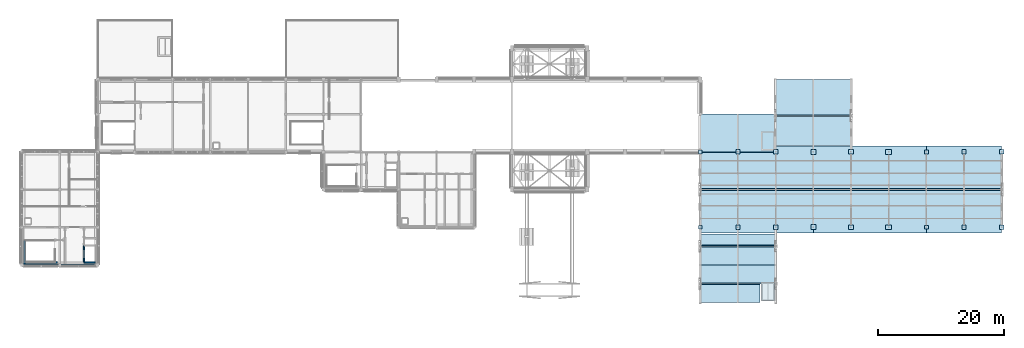
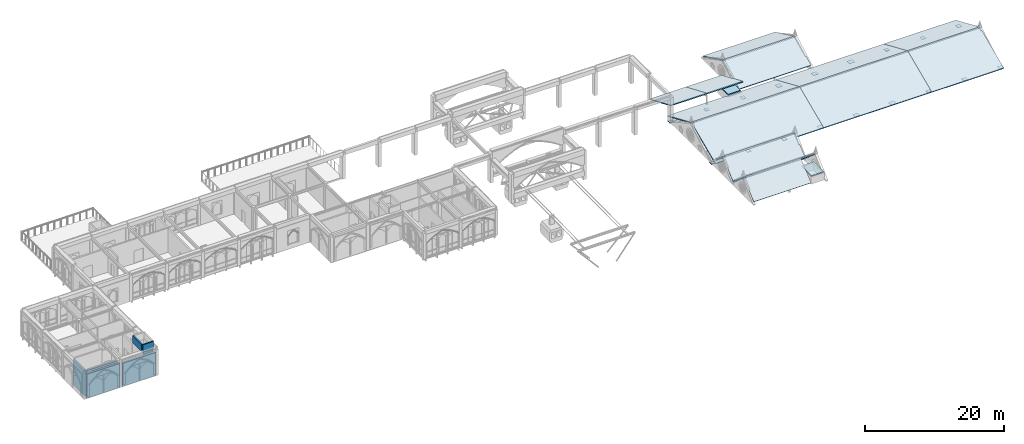
# One storey, part 39 of 59: 18 plates, 16 slabs, 7 walls.
"""IFC4 building model written with IfcOpenShell, lengths in metres."""

from ifc_helpers import new_model, si_unit, direction, frame, frame_2d, origin, origin_2d, place, context, subcontext, project, spatial, polyline, rectangle, outline, extrude, material, layer, layer_set, type_object, element, save


model = new_model("IFC4")

# Units and contexts
model_context = context("Model", 3, precision=1e-05, world=origin(), true_north=direction((0.0, 1.0)))
body_context = subcontext(model_context, "Body", "Model", "MODEL_VIEW")
ifc_project = project(units=[si_unit("LENGTHUNIT", "METRE"), si_unit("AREAUNIT", "SQUARE_METRE"), si_unit("VOLUMEUNIT", "CUBIC_METRE"), si_unit("PLANEANGLEUNIT", "RADIAN"), si_unit("MASSUNIT", "GRAM", prefix="KILO")], contexts=[model_context])

# Site, building, storey
site_placement = place(None, origin())
site = spatial("IfcSite", under=ifc_project, at=site_placement, CompositionType="ELEMENT")
building_placement = place(site_placement, origin())
building = spatial("IfcBuilding", under=site, at=building_placement, Name="Cumevento Cable Car Station", CompositionType="ELEMENT")
storey_placement = place(building_placement, frame((0.0, 0.0, 18.0)))
storey = spatial("IfcBuildingStorey", under=building, at=storey_placement, Name="L05", CompositionType="ELEMENT", Elevation=18.0)

# Slabs
ifc_material_1 = material(Name="Concrete C40/50", Category="concrete")
ifc_layer_1 = layer(ifc_material_1, 0.159912109375)
ifc_layer_set_1 = layer_set([ifc_layer_1], Name="Concrete C40/50")
slab_type_1 = type_object("IfcSlabType", Name="Concrete Deck RS-160 160", PredefinedType="ROOF", material=ifc_layer_set_1)
slab_1_placement = place(storey_placement, frame((118.0, 21.0, 0.414794921875), z_axis=(0.0, -0.647646522102, 0.76194093105), x_axis=(1.0, 0.0, 0.0)))
element("IfcSlab", 1, at=slab_1_placement, inside=storey, type_object=slab_type_1, Name="Wing B_V4b_core Gable Roof South", PredefinedType="ROOF", context=body_context, shape_type="SweptSolid", body=[
    extrude(outline(polyline([(0.0, 0.0), (9.5400390625, 0.0), (9.5400390625, 3.733846794664247), (0.0, 3.733846794664247), (0.0, 0.0)])), origin(), (0.0, 0.0, -1.0), 0.159912109375),
])
slab_2_placement = place(storey_placement, frame((118.0, 24.155029296875, 2.8330078125), z_axis=(0.0, 0.647646522102, 0.76194093105), x_axis=(1.0, 0.0, 0.0)))
element("IfcSlab", 2, at=slab_2_placement, inside=storey, type_object=slab_type_1, Name="Wing B_V4b_core Gable Roof North", PredefinedType="ROOF", context=body_context, shape_type="SweptSolid", body=[
    extrude(outline(polyline([(0.0, 0.0), (12.0, 0.0), (12.0, 3.733846794664247), (0.0, 3.733846794664247), (0.0, 0.0)])), origin(), (0.0, 0.0, -1.0), 0.159912109375),
])
for number, where, z_axis, x_axis, name in (
    (3, (118.0, 45.0, 2.893310546875), (0.0, 0.39111526462, 0.920341702729), (1.0, 0.0, 0.0), "Wing B_V5c_core Monopitch Veranda Roof #50"),
    (4, (124.0, 45.0, 2.893310546875), (0.0, 0.39111526462, 0.920341702729), (1.0, 0.0, 0.0), "Wing B_V5c_core Monopitch Veranda Roof #51"),
):
    element("IfcSlab", number, at=place(storey_placement, frame(where, z_axis=z_axis, x_axis=x_axis)), inside=storey, type_object=slab_type_1, Name=name, PredefinedType="ROOF", context=body_context, shape_type="SweptSolid", body=[
        extrude(outline(polyline([(0.0, 0.0), (6.0, 0.0), (6.0, 6.519317751451984), (0.0, 6.519317751451984), (0.0, 0.0)])), origin(), (0.0, 0.0, -1.0), 0.159912109375),
    ])
ifc_material_2 = material(Name="Concrete C40/50", Category="concrete")
ifc_layer_2 = layer(ifc_material_2, 0.172119140625)
ifc_layer_set_2 = layer_set([ifc_layer_2], Name="Concrete C40/50")
slab_type_2 = type_object("IfcSlabType", Name="Concrete Deck RS-172 172", PredefinedType="ROOF", material=ifc_layer_set_2)
slab_3_placement = place(storey_placement, frame((118.0, 27.0, 0.430419921875), z_axis=(0.0, -0.647646522102, 0.76194093105), x_axis=(1.0, 0.0, 0.0)))
element("IfcSlab", 5, at=slab_3_placement, inside=storey, type_object=slab_type_2, Name="Wing B_V4b Gable Roof South", PredefinedType="ROOF", context=body_context, shape_type="SweptSolid", body=[
    extrude(outline(polyline([(0.0, 0.0), (12.0, 0.0), (12.0, 3.733846794664247), (0.0, 3.733846794664247), (0.0, 0.0)])), origin(), (0.0, 0.0, -1.0), 0.172119140625),
])
slab_4_placement = place(storey_placement, frame((118.0, 30.155029296875, 2.8486328125), z_axis=(0.0, 0.647636386528, 0.761949546128), x_axis=(1.0, 0.0, 0.0)))
element("IfcSlab", 6, at=slab_4_placement, inside=storey, type_object=slab_type_2, Name="Wing B_V4b Gable Roof North", PredefinedType="ROOF", context=body_context, shape_type="SweptSolid", body=[
    extrude(outline(polyline([(0.0, 0.0), (12.0, 0.0), (12.0, 2.355696494762677), (0.0, 2.355696494762677), (0.0, 0.0)])), origin(), (0.0, 0.0, -1.0), 0.172119140625),
])
slab_5_placement = place(storey_placement, frame((130.0, 46.050048828125, 0.876220703125), z_axis=(0.0, -0.437800278024, 0.899072253249), x_axis=(1.0, 0.0, 0.0)))
element("IfcSlab", 7, at=slab_5_placement, inside=storey, type_object=slab_type_2, Name="Wing B_V5c Gable Roof South", PredefinedType="ROOF", context=body_context, shape_type="SweptSolid", body=[
    extrude(outline(polyline([(0.0, 0.0), (12.0, 0.0), (12.0, 5.055124166691807), (0.0, 5.055124166691807), (0.0, 0.0)])), origin(), (0.0, 0.0, -1.0), 0.172119140625),
])
slab_6_placement = place(storey_placement, frame((130.0, 50.905029296875, 3.08935546875), z_axis=(0.0, 0.437820642913, 0.899062336348), x_axis=(1.0, 0.0, 0.0)))
element("IfcSlab", 8, at=slab_6_placement, inside=storey, type_object=slab_type_2, Name="Wing B_V5c Gable Roof North", PredefinedType="ROOF", context=body_context, shape_type="SweptSolid", body=[
    extrude(outline(polyline([(0.0, 0.0), (12.0, 0.0), (12.0, 6.2231176603986), (0.0, 6.2231176603986), (0.0, 0.0)])), origin(), (0.0, 0.0, -1.0), 0.172119140625),
])
ifc_material_3 = material(Name="Concrete C40/50", Category="concrete")
ifc_layer_3 = layer(ifc_material_3, 0.18505859375)
ifc_layer_set_3 = layer_set([ifc_layer_3], Name="Concrete C40/50")
slab_type_3 = type_object("IfcSlabType", Name="Concrete Deck RS-185 185", PredefinedType="ROOF", material=ifc_layer_set_3)
for number, where, z_axis, x_axis, name in (
    (9, (118.0, 32.050048828125, 0.465576171875), (0.0, -0.398758569481, 0.917055943367), (1.0, 0.0, 0.0), "Cabin Garage Depot Roof South 13"),
    (10, (118.0, 39.139892578125, 3.4267578125), (0.0, 0.398758569481, 0.917055943367), (1.0, 0.0, 0.0), "Cabin Garage Depot Roof North 14"),
    (11, (136.0, 32.050048828125, 0.465576171875), (0.0, -0.398758569481, 0.917055943367), (1.0, 0.0, 0.0), "Cabin Garage Depot Roof South 15"),
    (12, (136.0, 39.139892578125, 3.4267578125), (0.0, 0.398758569481, 0.917055943367), (1.0, 0.0, 0.0), "Cabin Garage Depot Roof North 16"),
):
    element("IfcSlab", number, at=place(storey_placement, frame(where, z_axis=z_axis, x_axis=x_axis)), inside=storey, type_object=slab_type_3, Name=name, PredefinedType="ROOF", context=body_context, shape_type="SweptSolid", body=[
        extrude(outline(polyline([(0.0, 0.0), (18.0, 0.0), (18.0, 7.426001263067681), (0.0, 7.426001263067681), (0.0, 0.0)])), origin(), (0.0, 0.0, -1.0), 0.18505859375),
    ])
for number, where, z_axis, x_axis, name in (
    (13, (154.0, 32.050048828125, 0.465576171875), (0.0, -0.398758569481, 0.917055943367), (1.0, 0.0, 0.0), "Cabin Garage Depot Roof South 17"),
    (14, (154.0, 39.139892578125, 3.4267578125), (0.0, 0.398758569481, 0.917055943367), (1.0, 0.0, 0.0), "Cabin Garage Depot Roof North 18"),
):
    element("IfcSlab", number, at=place(storey_placement, frame(where, z_axis=z_axis, x_axis=x_axis)), inside=storey, type_object=slab_type_3, Name=name, PredefinedType="ROOF", context=body_context, shape_type="SweptSolid", body=[
        extrude(outline(polyline([(0.0, 0.0), (12.0, 0.0), (12.0, 7.426001263067681), (0.0, 7.426001263067681), (0.0, 0.0)])), origin(), (0.0, 0.0, -1.0), 0.18505859375),
    ])
ifc_material_4 = material(Name="Concrete C40/50", Category="concrete")
ifc_layer_4 = layer(ifc_material_4, 0.199951171875)
ifc_layer_set_4 = layer_set([ifc_layer_4], Name="Concrete C40/50")
slab_type_4 = type_object("IfcSlabType", Name="Concrete Deck RS-200 200", PredefinedType="ROOF", material=ifc_layer_set_4)
slab_7_placement = place(storey_placement, frame((0.0, 0.0, 1.25)))
element("IfcSlab", 15, at=slab_7_placement, inside=storey, type_object=slab_type_4, Name="Lift Overrun Roof Slab LF-05", PredefinedType="ROOF", context=body_context, shape_type="SweptSolid", body=[
    extrude(outline(polyline([(127.760009765625, 21.300048828125), (129.820068359375, 21.300048828125), (129.820068359375, 24.199951171875), (127.760009765625, 24.199951171875), (127.760009765625, 21.300048828125)])), origin(), (0.0, 0.0, 1.0), 0.199951171875),
])
slab_8_placement = place(storey_placement, frame((0.0, 0.0, 1.0)))
element("IfcSlab", 16, at=slab_8_placement, inside=storey, type_object=slab_type_4, Name="Lift Overrun Roof Slab LF-06", PredefinedType="ROOF", context=body_context, shape_type="SweptSolid", body=[
    extrude(outline(polyline([(127.760009765625, 45.300048828125), (129.820068359375, 45.300048828125), (129.820068359375, 48.199951171875), (127.760009765625, 48.199951171875), (127.760009765625, 45.300048828125)])), origin(), (0.0, 0.0, 1.0), 0.199951171875),
])

# Plates
ifc_material_5 = material(Name="Steel ASTM A572 Grade 50", Category="steel")
ifc_layer_5 = layer(ifc_material_5, 0.031982421875)
ifc_layer_set_5 = layer_set([ifc_layer_5], Name="Steel ASTM A572 Grade 50")
plate_type_1 = type_object("IfcPlateType", Name="Steel Plate BP-01 620x620x32", PredefinedType="SHEET", material=ifc_layer_set_5)
for number, where, z_axis, x_axis, name in (
    (17, (118.0, 33.0, 0.0), (0.0, 0.0, 1.0), (1.0, 0.0, 0.0), "Cabin Garage Truss Shoe Plate #69"),
    (18, (118.0, 45.0, 0.0), (0.0, 0.0, 1.0), (1.0, 0.0, 0.0), "Cabin Garage Truss Shoe Plate #70"),
    (19, (154.0, 33.0, 0.0), (0.0, 0.0, 1.0), (1.0, 0.0, 0.0), "Cabin Garage Truss Shoe Plate #81"),
    (20, (154.0, 45.0, 0.0), (0.0, 0.0, 1.0), (1.0, 0.0, 0.0), "Cabin Garage Truss Shoe Plate #82"),
):
    element("IfcPlate", number, at=place(storey_placement, frame(where, z_axis=z_axis, x_axis=x_axis)), inside=storey, type_object=plate_type_1, Name=name, PredefinedType="SHEET", context=body_context, shape_type="SweptSolid", body=[
        extrude(rectangle(XDim=0.6201171875, YDim=0.6201171875, at=origin_2d()), origin(), (0.0, 0.0, 1.0), 0.031982421875),
    ])
ifc_material_6 = material(Name="Steel ASTM A572 Grade 50", Category="steel")
ifc_layer_6 = layer(ifc_material_6, 0.035888671875)
ifc_layer_set_6 = layer_set([ifc_layer_6], Name="Steel ASTM A572 Grade 50")
plate_type_2 = type_object("IfcPlateType", Name="Steel Plate BP-02 680x680x36", PredefinedType="SHEET", material=ifc_layer_set_6)
for number, where, z_axis, x_axis, name in (
    (21, (124.0, 33.0, 0.0), (0.0, 0.0, 1.0), (1.0, 0.0, 0.0), "Cabin Garage Truss Shoe Plate #71"),
    (22, (124.0, 45.0, 0.0), (0.0, 0.0, 1.0), (1.0, 0.0, 0.0), "Cabin Garage Truss Shoe Plate #72"),
    (23, (160.0, 33.0, 0.0), (0.0, 0.0, 1.0), (1.0, 0.0, 0.0), "Cabin Garage Truss Shoe Plate #83"),
    (24, (160.0, 45.0, 0.0), (0.0, 0.0, 1.0), (1.0, 0.0, 0.0), "Cabin Garage Truss Shoe Plate #84"),
):
    element("IfcPlate", number, at=place(storey_placement, frame(where, z_axis=z_axis, x_axis=x_axis)), inside=storey, type_object=plate_type_2, Name=name, PredefinedType="SHEET", context=body_context, shape_type="SweptSolid", body=[
        extrude(rectangle(XDim=0.679931640625, YDim=0.679931640625, at=origin_2d()), origin(), (0.0, 0.0, 1.0), 0.035888671875),
    ])
ifc_material_7 = material(Name="Steel ASTM A572 Grade 50", Category="steel")
ifc_layer_7 = layer(ifc_material_7, 0.0400390625)
ifc_layer_set_7 = layer_set([ifc_layer_7], Name="Steel ASTM A572 Grade 50")
plate_type_3 = type_object("IfcPlateType", Name="Steel Plate BP-03 740x740x40", PredefinedType="SHEET", material=ifc_layer_set_7)
for number, where, z_axis, x_axis, name in (
    (25, (130.0, 33.0, 0.0), (0.0, 0.0, 1.0), (1.0, 0.0, 0.0), "Cabin Garage Truss Shoe Plate #73"),
    (26, (130.0, 45.0, 0.0), (0.0, 0.0, 1.0), (1.0, 0.0, 0.0), "Cabin Garage Truss Shoe Plate #74"),
    (27, (166.0, 33.0, 0.0), (0.0, 0.0, 1.0), (1.0, 0.0, 0.0), "Cabin Garage Truss Shoe Plate #85"),
    (28, (166.0, 45.0, 0.0), (0.0, 0.0, 1.0), (1.0, 0.0, 0.0), "Cabin Garage Truss Shoe Plate #86"),
):
    element("IfcPlate", number, at=place(storey_placement, frame(where, z_axis=z_axis, x_axis=x_axis)), inside=storey, type_object=plate_type_3, Name=name, PredefinedType="SHEET", context=body_context, shape_type="SweptSolid", body=[
        extrude(rectangle(XDim=0.739990234375, YDim=0.739990234375, at=origin_2d()), origin(), (0.0, 0.0, 1.0), 0.0400390625),
    ])
ifc_material_8 = material(Name="Steel ASTM A572 Grade 50", Category="steel")
ifc_layer_8 = layer(ifc_material_8, 0.0439453125)
ifc_layer_set_8 = layer_set([ifc_layer_8], Name="Steel ASTM A572 Grade 50")
plate_type_4 = type_object("IfcPlateType", Name="Steel Plate BP-04 800x800x44", PredefinedType="SHEET", material=ifc_layer_set_8)
for number, where, z_axis, x_axis, name in (
    (29, (136.0, 33.0, 0.0), (0.0, 0.0, 1.0), (1.0, 0.0, 0.0), "Cabin Garage Truss Shoe Plate #75"),
    (30, (136.0, 45.0, 0.0), (0.0, 0.0, 1.0), (1.0, 0.0, 0.0), "Cabin Garage Truss Shoe Plate #76"),
):
    element("IfcPlate", number, at=place(storey_placement, frame(where, z_axis=z_axis, x_axis=x_axis)), inside=storey, type_object=plate_type_4, Name=name, PredefinedType="SHEET", context=body_context, shape_type="SweptSolid", body=[
        extrude(rectangle(XDim=0.800048828125, YDim=0.800048828125, at=origin_2d()), origin(), (0.0, 0.0, 1.0), 0.0439453125),
    ])
ifc_material_9 = material(Name="Steel ASTM A572 Grade 50", Category="steel")
ifc_layer_9 = layer(ifc_material_9, 0.048095703125)
ifc_layer_set_9 = layer_set([ifc_layer_9], Name="Steel ASTM A572 Grade 50")
plate_type_5 = type_object("IfcPlateType", Name="Steel Plate BP-05 860x720x48", PredefinedType="SHEET", material=ifc_layer_set_9)
for number, where, z_axis, x_axis, name in (
    (31, (142.0, 33.0, 0.0), (0.0, 0.0, 1.0), (1.0, 0.0, 0.0), "Cabin Garage Truss Shoe Plate #77"),
    (32, (142.0, 45.0, 0.0), (0.0, 0.0, 1.0), (1.0, 0.0, 0.0), "Cabin Garage Truss Shoe Plate #78"),
):
    element("IfcPlate", number, at=place(storey_placement, frame(where, z_axis=z_axis, x_axis=x_axis)), inside=storey, type_object=plate_type_5, Name=name, PredefinedType="SHEET", context=body_context, shape_type="SweptSolid", body=[
        extrude(rectangle(XDim=0.860107421875, YDim=0.719970703125, at=origin_2d()), origin(), (0.0, 0.0, 1.0), 0.048095703125),
    ])
ifc_material_10 = material(Name="Steel ASTM A572 Grade 50", Category="steel")
ifc_layer_10 = layer(ifc_material_10, 0.052001953125)
ifc_layer_set_10 = layer_set([ifc_layer_10], Name="Steel ASTM A572 Grade 50")
plate_type_6 = type_object("IfcPlateType", Name="Steel Plate BP-06 920x780x52", PredefinedType="SHEET", material=ifc_layer_set_10)
for number, where, z_axis, x_axis, name in (
    (33, (148.0, 33.0, 0.0), (0.0, 0.0, 1.0), (1.0, 0.0, 0.0), "Cabin Garage Truss Shoe Plate #79"),
    (34, (148.0, 45.0, 0.0), (0.0, 0.0, 1.0), (1.0, 0.0, 0.0), "Cabin Garage Truss Shoe Plate #80"),
):
    element("IfcPlate", number, at=place(storey_placement, frame(where, z_axis=z_axis, x_axis=x_axis)), inside=storey, type_object=plate_type_6, Name=name, PredefinedType="SHEET", context=body_context, shape_type="SweptSolid", body=[
        extrude(rectangle(XDim=0.919921875, YDim=0.780029296875, at=origin_2d()), origin(), (0.0, 0.0, 1.0), 0.052001953125),
    ])

# Walls
ifc_material_11 = material(Name="Concrete C40/50", Category="concrete")
ifc_layer_11 = layer(ifc_material_11, 0.35498046875)
ifc_layer_set_11 = layer_set([ifc_layer_11], Name="Concrete C40/50")
wall_type_1 = type_object("IfcWallType", Name="Exterior Envelope Wall EW-355 355", PredefinedType="SOLIDWALL", material=ifc_layer_set_11)
wall_1_placement = place(storey_placement, frame((15.77490234375, 27.0, 0.0), z_axis=(0.0, 0.0, 1.0), x_axis=(-1.0, 0.0, 0.0)))
element("IfcWall", 35, at=wall_1_placement, inside=storey, type_object=wall_type_1, Name="Exterior Wall EW-355 L05 #385", PredefinedType="SOLIDWALL", context=body_context, shape_type="SweptSolid", body=[
    extrude(rectangle(XDim=5.5498046875, YDim=0.35498046875, at=frame_2d((2.77490234375, 0.0))), origin(), (0.0, 0.0, 1.0), 4.248046875),
])
wall_2_placement = place(storey_placement, frame((21.77490234375, 27.0, 0.0), z_axis=(0.0, 0.0, 1.0), x_axis=(-1.0, 0.0, 0.0)))
element("IfcWall", 36, at=wall_2_placement, inside=storey, type_object=wall_type_1, Name="Exterior Wall EW-355 L05 #386", PredefinedType="SOLIDWALL", context=body_context, shape_type="SweptSolid", body=[
    extrude(rectangle(XDim=5.5498046875, YDim=0.35498046875, at=frame_2d((2.77490234375, 0.0))), origin(), (0.0, 0.0, 1.0), 4.0869140625),
])
ifc_material_12 = material(Name="Concrete C40/50", Category="concrete")
ifc_layer_12 = layer(ifc_material_12, 0.22998046875)
ifc_layer_set_12 = layer_set([ifc_layer_12], Name="Concrete C40/50")
wall_type_2 = type_object("IfcWallType", Name="Interior Shear Wall CW-230 230", PredefinedType="SHEAR", material=ifc_layer_set_12)
wall_3_placement = place(storey_placement, frame((19.8798828125, 27.419921875, 4.5), z_axis=(0.0, 0.0, 1.0), x_axis=(1.0, 0.0, 0.0)))
element("IfcWall", 37, at=wall_3_placement, inside=storey, type_object=wall_type_2, Name="Interior Wall CW-230 L05 #267", PredefinedType="SHEAR", context=body_context, shape_type="SweptSolid", body=[
    extrude(rectangle(XDim=1.820068359375, YDim=0.22998046875, at=frame_2d((0.91015625, 0.0))), origin(), (0.0, 0.0, 1.0), 1.25),
])
wall_4_placement = place(storey_placement, frame((19.8798828125, 30.080078125, 4.5), z_axis=(0.0, 0.0, 1.0), x_axis=(0.0, -1.0, 0.0)))
element("IfcWall", 38, at=wall_4_placement, inside=storey, type_object=wall_type_2, Name="Interior Wall CW-230 L05 #270", PredefinedType="SHEAR", context=body_context, shape_type="SweptSolid", body=[
    extrude(rectangle(XDim=2.66015625, YDim=0.22998046875, at=frame_2d((1.330078125, 0.0))), origin(), (0.0, 0.0, 1.0), 1.25),
])
wall_5_placement = place(storey_placement, frame((10.405029296875, 27.114990234375, 0.0), z_axis=(0.0, 0.0, 1.0), x_axis=(0.0, 1.0, 0.0)))
element("IfcWall", 39, at=wall_5_placement, inside=storey, type_object=wall_type_2, Name="Interior Wall CW-230 L05 #327", PredefinedType="SHEAR", context=body_context, shape_type="SweptSolid", body=[
    extrude(rectangle(XDim=3.735107421875, YDim=0.22998046875, at=frame_2d((1.86767578125, 0.0))), origin(), (0.0, 0.0, 1.0), 4.5),
])
wall_6_placement = place(storey_placement, frame((10.52001953125, 27.405029296875, 0.0), z_axis=(0.0, 0.0, 1.0), x_axis=(1.0, 0.0, 0.0)))
element("IfcWall", 40, at=wall_6_placement, inside=storey, type_object=wall_type_2, Name="Interior Wall CW-230 L05 #328", PredefinedType="SHEAR", context=body_context, shape_type="SweptSolid", body=[
    extrude(rectangle(XDim=5.1298828125, YDim=0.22998046875, at=frame_2d((2.56494140625, 0.0))), origin(), (0.0, 0.0, 1.0), 4.5),
])
wall_7_placement = place(storey_placement, frame((20.0048828125, 27.419921875, 0.0), z_axis=(0.0, 0.0, 1.0), x_axis=(1.0, 0.0, 0.0)))
element("IfcWall", 41, at=wall_7_placement, inside=storey, type_object=wall_type_2, Name="Interior Wall CW-230 L05 #333", PredefinedType="SHEAR", context=body_context, shape_type="SweptSolid", body=[
    extrude(rectangle(XDim=1.580078125, YDim=0.22998046875, at=frame_2d((0.7900390625, 0.0))), origin(), (0.0, 0.0, 1.0), 4.5),
])

save(model, "model.ifc")
